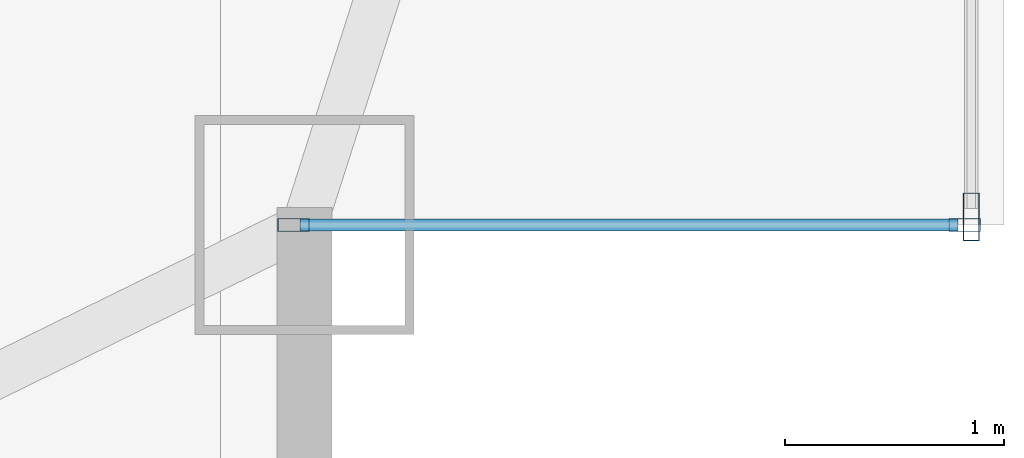
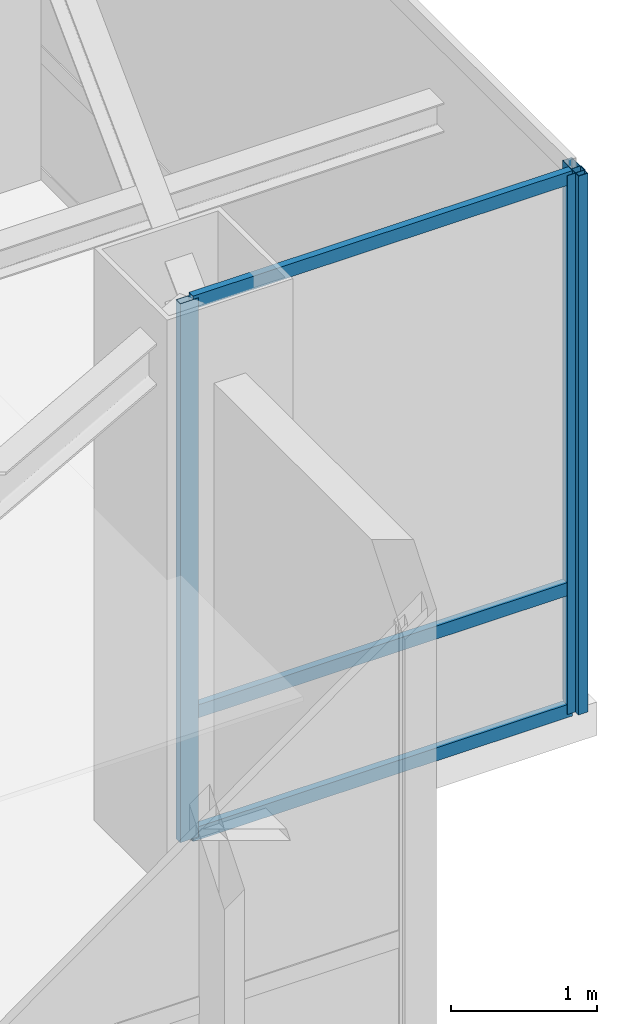
# One storey, part 12 of 22: 6 members, 2 elements without a shape of their own.
"""IFC4 building model written with IfcOpenShell, lengths in metres."""

from ifc_helpers import new_model, si_unit, direction, frame, origin, origin_2d, place, context, subcontext, project, spatial, hollow_rectangle, extrude, source, transform, mapped, material, layer, layer_set, material_profile, profile_set, type_object, type_shapes, element, aggregate, save


model = new_model("IFC4")

# Units and contexts
model_context = context("Model", 3, precision=1e-05, world=origin(), true_north=direction((0.0, 1.0)))
body_context = subcontext(model_context, "Body", "Model", "MODEL_VIEW")
ifc_project = project(units=[si_unit("LENGTHUNIT", "METRE"), si_unit("AREAUNIT", "SQUARE_METRE"), si_unit("VOLUMEUNIT", "CUBIC_METRE"), si_unit("PLANEANGLEUNIT", "RADIAN"), si_unit("MASSUNIT", "GRAM", prefix="KILO")], contexts=[model_context])

# Site, building, storey
site_placement = place(None, origin())
site = spatial("IfcSite", under=ifc_project, at=site_placement, CompositionType="ELEMENT")
building_placement = place(site_placement, origin())
building = spatial("IfcBuilding", under=site, at=building_placement, Name="Varnel Quay Broadcast Tower", CompositionType="ELEMENT")
storey_placement = place(building_placement, frame((0.0, 0.0, 305.0)))
storey = spatial("IfcBuildingStorey", under=building, at=storey_placement, Name="L76", CompositionType="ELEMENT", Elevation=305.0)

# Curtain wall, members
ifc_material = material(Name="Anodised Bronze Aluminium 6063-T6", Category="aluminium")
ifc_layer_1 = layer(ifc_material, 0.18994140625, Name="Anodised Bronze Aluminium 6063-T6")
ifc_layer_set_1 = layer_set([ifc_layer_1], Name="Anodised Bronze Aluminium 6063-T6")
curtain_wall_type_1 = type_object("IfcCurtainWallType", Name="CW_NotchCorner", PredefinedType="NOTDEFINED", material=ifc_layer_set_1)
curtain_wall_1_placement = place(storey_placement, origin())
curtain_wall_1 = element("IfcCurtainWall", 1, at=curtain_wall_1_placement, inside=storey, type_object=curtain_wall_type_1, Name="L76 SE Notch Curtain Wall", PredefinedType="NOTDEFINED")
ifc_material_profile_1 = material_profile(ifc_material, hollow_rectangle(XDim=0.054931640625, YDim=0.110107421875, WallThickness=0.0029296875, at=origin_2d()), Name="ALU55X110X3")
ifc_profile_set_1 = profile_set([ifc_material_profile_1], Name="Anodised Bronze Aluminium 6063-T6")
member_type_1 = type_object("IfcMemberType", Name="Tran_CWS-04", PredefinedType="USERDEFINED", material=ifc_profile_set_1)
shared_shape_1 = source(origin(), body_context, "Body", "SweptSolid", [
    extrude(hollow_rectangle(XDim=0.054931640625, YDim=0.110107421875, WallThickness=0.0029296875, at=origin_2d()), origin(), (0.0, 0.0, 1.0), 3.010009765625),
])
type_shapes(member_type_1, [shared_shape_1])
member_1_placement = place(storey_placement, frame((52.780029296875, 16.39990234375, 0.027587890625), z_axis=(1.0, 0.0, 0.0), x_axis=(0.0, 1.0, 0.0)))
member_1 = element("IfcMember", 2, at=member_1_placement, type_object=member_type_1, Name="CWS-04 transom 1.1", ObjectType="TRANSOM", PredefinedType="USERDEFINED", context=body_context, shape_type="MappedRepresentation", body=[
    mapped(shared_shape_1, transform((0.0, 0.0, 0.0), x_axis=(1.0, 0.0, 0.0), y_axis=(0.0, 1.0, 0.0), z_axis=(0.0, 0.0, 1.0), scale=1.0)),
])
member_2_placement = place(storey_placement, frame((52.780029296875, 16.39990234375, 1.050048828125), z_axis=(1.0, 0.0, 0.0), x_axis=(0.0, 1.0, 0.0)))
member_2 = element("IfcMember", 3, at=member_2_placement, type_object=member_type_1, Name="CWS-04 transom 1.2", ObjectType="TRANSOM", PredefinedType="USERDEFINED", context=body_context, shape_type="MappedRepresentation", body=[
    mapped(shared_shape_1, transform((0.0, 0.0, 0.0), x_axis=(1.0, 0.0, 0.0), y_axis=(0.0, 1.0, 0.0), z_axis=(0.0, 0.0, 1.0), scale=1.0)),
])
member_3_placement = place(storey_placement, frame((52.780029296875, 16.39990234375, 4.492431640625), z_axis=(1.0, 0.0, 0.0), x_axis=(0.0, 1.0, 0.0)))
member_3 = element("IfcMember", 4, at=member_3_placement, type_object=member_type_1, Name="CWS-04 transom 1.3", ObjectType="TRANSOM", PredefinedType="USERDEFINED", context=body_context, shape_type="MappedRepresentation", body=[
    mapped(shared_shape_1, transform((0.0, 0.0, 0.0), x_axis=(1.0, 0.0, 0.0), y_axis=(0.0, 1.0, 0.0), z_axis=(0.0, 0.0, 1.0), scale=1.0)),
])

# Curtain wall, member
ifc_layer_2 = layer(ifc_material, 0.18994140625, Name="Anodised Bronze Aluminium 6063-T6")
ifc_layer_set_2 = layer_set([ifc_layer_2], Name="Anodised Bronze Aluminium 6063-T6")
curtain_wall_type_2 = type_object("IfcCurtainWallType", Name="CW_SkyObsHighVis", PredefinedType="NOTDEFINED", material=ifc_layer_set_2)
curtain_wall_2_placement = place(storey_placement, origin())
curtain_wall_2 = element("IfcCurtainWall", 5, at=curtain_wall_2_placement, inside=storey, type_object=curtain_wall_type_2, Name="L76 East Unitised Curtain Wall", PredefinedType="NOTDEFINED")
ifc_material_profile_2 = material_profile(ifc_material, hollow_rectangle(XDim=0.074951171875, YDim=0.219970703125, WallThickness=0.00390625, at=origin_2d()), Name="ALU75X220X4")
ifc_profile_set_2 = profile_set([ifc_material_profile_2], Name="Anodised Bronze Aluminium 6063-T6")
member_type_2 = type_object("IfcMemberType", Name="Mull_CWS-05", PredefinedType="MULLION", material=ifc_profile_set_2)
shared_shape_2 = source(origin(), body_context, "Body", "SweptSolid", [
    extrude(hollow_rectangle(XDim=0.074951171875, YDim=0.219970703125, WallThickness=0.00390625, at=origin_2d()), origin(), (0.0, 0.0, 1.0), 4.52001953125),
])
type_shapes(member_type_2, [shared_shape_2])
member_4_placement = place(storey_placement, frame((55.85009765625, 16.4375, 0.0), z_axis=(0.0, 0.0, 1.0), x_axis=(-1.0, 0.0, 0.0)))
member_4 = element("IfcMember", 6, at=member_4_placement, type_object=member_type_2, Name="CWS-05 mullion 1", PredefinedType="MULLION", context=body_context, shape_type="MappedRepresentation", body=[
    mapped(shared_shape_2, transform((0.0, 0.0, 0.0), x_axis=(1.0, 0.0, 0.0), y_axis=(0.0, 1.0, 0.0), z_axis=(0.0, 0.0, 1.0), scale=1.0)),
])
aggregate(curtain_wall_2, [member_4])

# Member
ifc_material_profile_3 = material_profile(ifc_material, hollow_rectangle(XDim=0.06005859375, YDim=0.14501953125, WallThickness=0.00341796875, at=origin_2d()), Name="ALU60X145X3.5")
ifc_profile_set_3 = profile_set([ifc_material_profile_3], Name="Anodised Bronze Aluminium 6063-T6")
member_type_3 = type_object("IfcMemberType", Name="Mull_CWS-04", PredefinedType="MULLION", material=ifc_profile_set_3)
shared_shape_3 = source(origin(), body_context, "Body", "SweptSolid", [
    extrude(hollow_rectangle(XDim=0.06005859375, YDim=0.14501953125, WallThickness=0.00341796875, at=origin_2d()), origin(), (0.0, 0.0, 1.0), 4.52001953125),
])
type_shapes(member_type_3, [shared_shape_3])
member_5_placement = place(storey_placement, frame((52.75, 16.39990234375, 0.0), z_axis=(0.0, 0.0, 1.0), x_axis=(0.0, 1.0, 0.0)))
member_5 = element("IfcMember", 7, at=member_5_placement, type_object=member_type_3, Name="CWS-04 mullion 1", PredefinedType="MULLION", context=body_context, shape_type="MappedRepresentation", body=[
    mapped(shared_shape_3, transform((0.0, 0.0, 0.0), x_axis=(1.0, 0.0, 0.0), y_axis=(0.0, 1.0, 0.0), z_axis=(0.0, 0.0, 1.0), scale=1.0)),
])

member_6_placement = place(storey_placement, frame((55.820068359375, 16.39990234375, 0.0), z_axis=(0.0, 0.0, 1.0), x_axis=(0.0, 1.0, 0.0)))
member_6 = element("IfcMember", 8, at=member_6_placement, type_object=member_type_3, Name="CWS-04 mullion 2", PredefinedType="MULLION", context=body_context, shape_type="MappedRepresentation", body=[
    mapped(shared_shape_3, transform((0.0, 0.0, 0.0), x_axis=(1.0, 0.0, 0.0), y_axis=(0.0, 1.0, 0.0), z_axis=(0.0, 0.0, 1.0), scale=1.0)),
])

aggregate(curtain_wall_1, [member_5, member_6, member_1, member_2, member_3])

save(model, "model.ifc")
